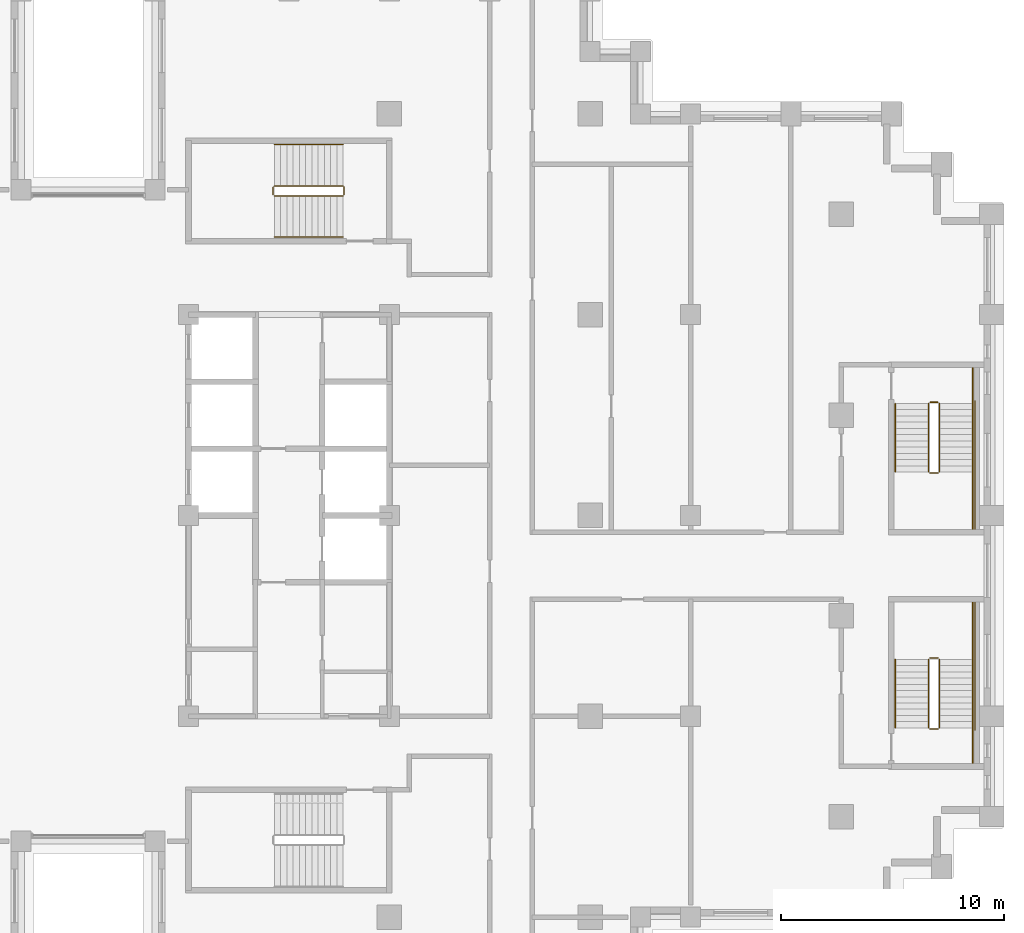
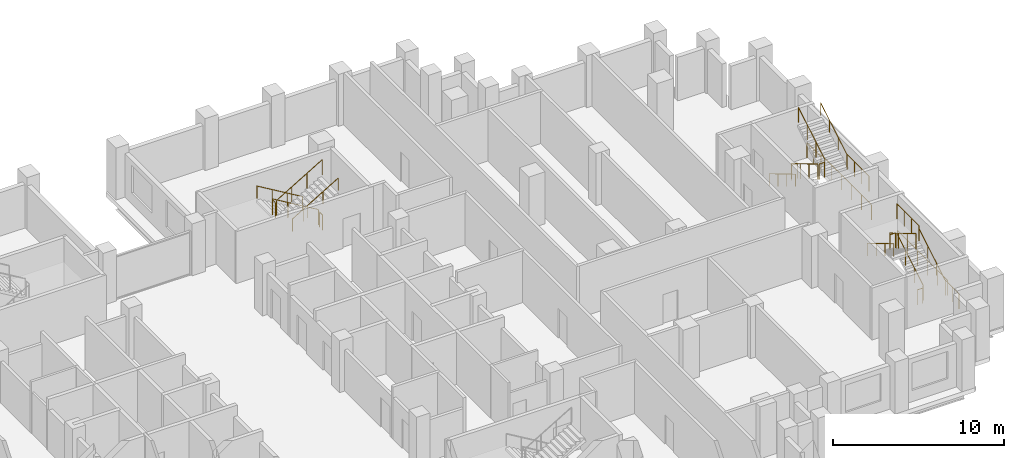
# One storey, part 16 of 16: 3 railings.
"""IFC4 building model written with IfcOpenShell, lengths in metres."""

from ifc_helpers import new_model, si_unit, direction, frame, origin, origin_2d, place, context, subcontext, project, spatial, circle, extrude, material, type_object, element, save


model = new_model("IFC4")

# Units and contexts
model_context = context("Model", 3, precision=1e-05, world=origin(), true_north=direction((0.0, 1.0)))
body_context = subcontext(model_context, "Body", "Model", "MODEL_VIEW")
ifc_project = project(units=[si_unit("LENGTHUNIT", "METRE"), si_unit("AREAUNIT", "SQUARE_METRE"), si_unit("VOLUMEUNIT", "CUBIC_METRE"), si_unit("PLANEANGLEUNIT", "RADIAN"), si_unit("MASSUNIT", "GRAM", prefix="KILO")], contexts=[model_context])

# Site, building, storey
site_placement = place(None, origin())
site = spatial("IfcSite", under=ifc_project, at=site_placement, CompositionType="ELEMENT")
building_placement = place(site_placement, origin())
building = spatial("IfcBuilding", under=site, at=building_placement, Name="Corbelhall Arena Tower", CompositionType="ELEMENT")
storey_placement = place(building_placement, frame((0.0, 0.0, 154.0)))
storey = spatial("IfcBuildingStorey", under=building, at=storey_placement, Name="L30", CompositionType="ELEMENT", Elevation=154.0)

# Railings
ifc_material = material(Name="Steel ASTM A500 Gr C", Category="steel")
railing_type = type_object("IfcRailingType", Name="IN-GD-1100", PredefinedType="GUARDRAIL", material=ifc_material)
railing_1_placement = place(storey_placement, frame((11.425048828125, 14.77490234375, 0.166748046875)))
element("IfcRailing", 1, at=railing_1_placement, inside=storey, type_object=railing_type, Name="L30 ST3 stair guards and handrails", PredefinedType="GUARDRAIL", context=body_context, shape_type="SweptSolid", body=[
    extrude(circle(Radius=0.02392578125, at=origin_2d()), frame((0.0, 0.0, 1.076171875), z_axis=(-0.859308565015, 0.0, 0.511457515432), x_axis=(0.0, -1.0, 0.0)), (0.0, 0.0, 1.0), 3.58447265625),
    extrude(circle(Radius=0.02392578125, at=origin_2d()), frame((-3.130126953125, -0.0498046875, 2.9091796875), z_axis=(0.0, -1.0, 0.0), x_axis=(1.0, 0.0, 0.0)), (0.0, 0.0, 1.0), 0.35009765625),
    extrude(circle(Radius=0.02392578125, at=origin_2d()), frame((-3.080078125, -0.449951171875, 3.076171875), z_axis=(0.859308565015, 0.0, 0.511457515432), x_axis=(0.0, 1.0, 0.0)), (0.0, 0.0, 1.0), 3.58447265625),
    extrude(circle(Radius=0.02392578125, at=origin_2d()), frame((0.050048828125, -0.0498046875, 0.9091796875), z_axis=(0.0, -1.0, 0.0), x_axis=(1.0, 0.0, 0.0)), (0.0, 0.0, 1.0), 0.35009765625),
    extrude(circle(Radius=0.02392578125, at=origin_2d()), frame((0.0, 1.85009765625, 0.8759765625), z_axis=(-0.859308565015, 0.0, 0.511457515432), x_axis=(0.0, -1.0, 0.0)), (0.0, 0.0, 1.0), 3.58447265625),
    extrude(circle(Radius=0.02392578125, at=origin_2d()), frame((-3.080078125, -2.2998046875, 2.8759765625), z_axis=(0.859308565015, 0.0, 0.511457515432), x_axis=(0.0, 1.0, 0.0)), (0.0, 0.0, 1.0), 3.58447265625),
    extrude(circle(Radius=0.02099609375, at=origin_2d()), origin(), (0.0, 0.0, 1.0), 1.052001953125),
    extrude(circle(Radius=0.02099609375, at=origin_2d()), frame((-1.026611328125, 0.0, 0.611083984375)), (0.0, 0.0, 1.0), 1.052001953125),
    extrude(circle(Radius=0.02099609375, at=origin_2d()), frame((-2.053466796875, 0.0, 1.22216796875)), (0.0, 0.0, 1.0), 1.052001953125),
    extrude(circle(Radius=0.02099609375, at=origin_2d()), frame((-3.080078125, 0.0, 1.833251953125)), (0.0, 0.0, 1.0), 1.052001953125),
    extrude(circle(Radius=0.02099609375, at=origin_2d()), frame((-3.130126953125, -0.0498046875, 1.833251953125)), (0.0, 0.0, 1.0), 1.052001953125),
    extrude(circle(Radius=0.02099609375, at=origin_2d()), frame((-3.130126953125, -0.39990234375, 1.833251953125)), (0.0, 0.0, 1.0), 1.052001953125),
    extrude(circle(Radius=0.02099609375, at=origin_2d()), frame((-3.080078125, -0.449951171875, 2.0)), (0.0, 0.0, 1.0), 1.052001953125),
    extrude(circle(Radius=0.02099609375, at=origin_2d()), frame((-2.053466796875, -0.449951171875, 2.611083984375)), (0.0, 0.0, 1.0), 1.052001953125),
    extrude(circle(Radius=0.02099609375, at=origin_2d()), frame((-1.026611328125, -0.449951171875, 3.22216796875)), (0.0, 0.0, 1.0), 1.052001953125),
    extrude(circle(Radius=0.02099609375, at=origin_2d()), frame((0.0, -0.449951171875, 3.833251953125)), (0.0, 0.0, 1.0), 1.052001953125),
    extrude(circle(Radius=0.02099609375, at=origin_2d()), frame((0.050048828125, -0.0498046875, -0.166748046875)), (0.0, 0.0, 1.0), 1.052001953125),
    extrude(circle(Radius=0.02099609375, at=origin_2d()), frame((0.050048828125, -0.39990234375, -0.166748046875)), (0.0, 0.0, 1.0), 1.052001953125),
    extrude(circle(Radius=0.02099609375, at=origin_2d()), frame((0.0, 1.85009765625, 0.0)), (0.0, 0.0, 1.0), 0.851806640625),
    extrude(circle(Radius=0.02099609375, at=origin_2d()), frame((-1.026611328125, 1.85009765625, 0.611083984375)), (0.0, 0.0, 1.0), 0.851806640625),
    extrude(circle(Radius=0.02099609375, at=origin_2d()), frame((-2.053466796875, 1.85009765625, 1.22216796875)), (0.0, 0.0, 1.0), 0.851806640625),
    extrude(circle(Radius=0.02099609375, at=origin_2d()), frame((-3.080078125, 1.85009765625, 1.833251953125)), (0.0, 0.0, 1.0), 0.851806640625),
    extrude(circle(Radius=0.02099609375, at=origin_2d()), frame((-3.080078125, -2.2998046875, 2.0)), (0.0, 0.0, 1.0), 0.851806640625),
    extrude(circle(Radius=0.02099609375, at=origin_2d()), frame((-2.053466796875, -2.2998046875, 2.611083984375)), (0.0, 0.0, 1.0), 0.851806640625),
    extrude(circle(Radius=0.02099609375, at=origin_2d()), frame((-1.026611328125, -2.2998046875, 3.22216796875)), (0.0, 0.0, 1.0), 0.851806640625),
    extrude(circle(Radius=0.02099609375, at=origin_2d()), frame((0.0, -2.2998046875, 3.833251953125)), (0.0, 0.0, 1.0), 0.851806640625),
])
railing_2_placement = place(storey_placement, frame((38.14990234375, -9.52490234375, 0.166748046875)))
element("IfcRailing", 2, at=railing_2_placement, inside=storey, type_object=railing_type, Name="L30 SD1 stair guards and handrails", PredefinedType="GUARDRAIL", context=body_context, shape_type="SweptSolid", body=[
    extrude(circle(Radius=0.02392578125, at=origin_2d()), frame((0.0, 0.0, 1.076171875), z_axis=(0.0, 0.859290745958, 0.51148745235), x_axis=(-1.0, 0.0, 0.0)), (0.0, 0.0, 1.0), 3.584228515625),
    extrude(circle(Radius=0.02392578125, at=origin_2d()), frame((-0.0498046875, 3.1298828125, 2.9091796875), z_axis=(-1.0, 0.0, 0.0), x_axis=(0.0, -1.0, 0.0)), (0.0, 0.0, 1.0), 0.375),
    extrude(circle(Radius=0.02392578125, at=origin_2d()), frame((1.5, 3.079833984375, 2.9091796875), z_axis=(0.0, 1.0, 0.0), x_axis=(-1.0, 0.0, 0.0)), (0.0, 0.0, 1.0), 2.570068359375),
    extrude(circle(Radius=0.02392578125, at=origin_2d()), frame((-0.474853515625, 3.079833984375, 3.076171875), z_axis=(0.0, -0.859290745958, 0.51148745235), x_axis=(1.0, 0.0, 0.0)), (0.0, 0.0, 1.0), 3.584228515625),
    extrude(circle(Radius=0.02392578125, at=origin_2d()), frame((-0.0498046875, -0.050048828125, 0.9091796875), z_axis=(-1.0, 0.0, 0.0), x_axis=(0.0, -1.0, 0.0)), (0.0, 0.0, 1.0), 0.375),
    extrude(circle(Radius=0.02392578125, at=origin_2d()), frame((1.5, -1.60009765625, 0.9091796875), z_axis=(0.0, 1.0, 0.0), x_axis=(-1.0, 0.0, 0.0)), (0.0, 0.0, 1.0), 1.60009765625),
    extrude(circle(Radius=0.02392578125, at=origin_2d()), frame((1.60009765625, -0.10009765625, 0.9091796875), z_axis=(0.0, 1.0, 0.0), x_axis=(-1.0, 0.0, 0.0)), (0.0, 0.0, 1.0), 5.85009765625),
    extrude(circle(Radius=0.02392578125, at=origin_2d()), frame((1.5, 0.0, 0.8759765625), z_axis=(0.0, 0.859290745958, 0.51148745235), x_axis=(-1.0, 0.0, 0.0)), (0.0, 0.0, 1.0), 3.584228515625),
    extrude(circle(Radius=0.02392578125, at=origin_2d()), frame((-1.974853515625, 3.079833984375, 2.8759765625), z_axis=(0.0, -0.859290745958, 0.51148745235), x_axis=(1.0, 0.0, 0.0)), (0.0, 0.0, 1.0), 3.584228515625),
    extrude(circle(Radius=0.02099609375, at=origin_2d()), origin(), (0.0, 0.0, 1.0), 1.052001953125),
    extrude(circle(Radius=0.02099609375, at=origin_2d()), frame((0.0, 1.026611328125, 0.611083984375)), (0.0, 0.0, 1.0), 1.052001953125),
    extrude(circle(Radius=0.02099609375, at=origin_2d()), frame((0.0, 2.05322265625, 1.22216796875)), (0.0, 0.0, 1.0), 1.052001953125),
    extrude(circle(Radius=0.02099609375, at=origin_2d()), frame((0.0, 3.079833984375, 1.833251953125)), (0.0, 0.0, 1.0), 1.052001953125),
    extrude(circle(Radius=0.02099609375, at=origin_2d()), frame((-0.0498046875, 3.1298828125, 1.833251953125)), (0.0, 0.0, 1.0), 1.052001953125),
    extrude(circle(Radius=0.02099609375, at=origin_2d()), frame((-0.4248046875, 3.1298828125, 1.833251953125)), (0.0, 0.0, 1.0), 1.052001953125),
    extrude(circle(Radius=0.02099609375, at=origin_2d()), frame((1.5, 3.079833984375, 1.833251953125)), (0.0, 0.0, 1.0), 1.052001953125),
    extrude(circle(Radius=0.02099609375, at=origin_2d()), frame((1.5, 3.9365234375, 1.833251953125)), (0.0, 0.0, 1.0), 1.052001953125),
    extrude(circle(Radius=0.02099609375, at=origin_2d()), frame((1.5, 4.793212890625, 1.833251953125)), (0.0, 0.0, 1.0), 1.052001953125),
    extrude(circle(Radius=0.02099609375, at=origin_2d()), frame((1.5, 5.64990234375, 1.833251953125)), (0.0, 0.0, 1.0), 1.052001953125),
    extrude(circle(Radius=0.02099609375, at=origin_2d()), frame((-0.474853515625, 3.079833984375, 2.0)), (0.0, 0.0, 1.0), 1.052001953125),
    extrude(circle(Radius=0.02099609375, at=origin_2d()), frame((-0.474853515625, 2.05322265625, 2.611083984375)), (0.0, 0.0, 1.0), 1.052001953125),
    extrude(circle(Radius=0.02099609375, at=origin_2d()), frame((-0.474853515625, 1.026611328125, 3.22216796875)), (0.0, 0.0, 1.0), 1.052001953125),
    extrude(circle(Radius=0.02099609375, at=origin_2d()), frame((-0.474853515625, 0.0, 3.833251953125)), (0.0, 0.0, 1.0), 1.052001953125),
    extrude(circle(Radius=0.02099609375, at=origin_2d()), frame((-0.0498046875, -0.050048828125, -0.166748046875)), (0.0, 0.0, 1.0), 1.052001953125),
    extrude(circle(Radius=0.02099609375, at=origin_2d()), frame((-0.4248046875, -0.050048828125, -0.166748046875)), (0.0, 0.0, 1.0), 1.052001953125),
    extrude(circle(Radius=0.02099609375, at=origin_2d()), frame((1.5, -1.60009765625, -0.166748046875)), (0.0, 0.0, 1.0), 1.052001953125),
    extrude(circle(Radius=0.02099609375, at=origin_2d()), frame((1.5, -0.800048828125, -0.166748046875)), (0.0, 0.0, 1.0), 1.052001953125),
    extrude(circle(Radius=0.02099609375, at=origin_2d()), frame((1.5, 0.0, -0.166748046875)), (0.0, 0.0, 1.0), 1.052001953125),
    extrude(circle(Radius=0.02099609375, at=origin_2d()), frame((1.60009765625, -0.10009765625, -0.166748046875)), (0.0, 0.0, 1.0), 1.052001953125),
    extrude(circle(Radius=0.02099609375, at=origin_2d()), frame((1.60009765625, 1.06982421875, -0.166748046875)), (0.0, 0.0, 1.0), 1.052001953125),
    extrude(circle(Radius=0.02099609375, at=origin_2d()), frame((1.60009765625, 2.239990234375, -0.166748046875)), (0.0, 0.0, 1.0), 1.052001953125),
    extrude(circle(Radius=0.02099609375, at=origin_2d()), frame((1.60009765625, 3.409912109375, -0.166748046875)), (0.0, 0.0, 1.0), 1.052001953125),
    extrude(circle(Radius=0.02099609375, at=origin_2d()), frame((1.60009765625, 4.580078125, -0.166748046875)), (0.0, 0.0, 1.0), 1.052001953125),
    extrude(circle(Radius=0.02099609375, at=origin_2d()), frame((1.60009765625, 5.75, -0.166748046875)), (0.0, 0.0, 1.0), 1.052001953125),
    extrude(circle(Radius=0.02099609375, at=origin_2d()), frame((1.5, 0.0, 0.0)), (0.0, 0.0, 1.0), 0.851806640625),
    extrude(circle(Radius=0.02099609375, at=origin_2d()), frame((1.5, 1.026611328125, 0.611083984375)), (0.0, 0.0, 1.0), 0.851806640625),
    extrude(circle(Radius=0.02099609375, at=origin_2d()), frame((1.5, 2.05322265625, 1.22216796875)), (0.0, 0.0, 1.0), 0.851806640625),
    extrude(circle(Radius=0.02099609375, at=origin_2d()), frame((-1.974853515625, 3.079833984375, 2.0)), (0.0, 0.0, 1.0), 0.851806640625),
    extrude(circle(Radius=0.02099609375, at=origin_2d()), frame((-1.974853515625, 2.05322265625, 2.611083984375)), (0.0, 0.0, 1.0), 0.851806640625),
    extrude(circle(Radius=0.02099609375, at=origin_2d()), frame((-1.974853515625, 1.026611328125, 3.22216796875)), (0.0, 0.0, 1.0), 0.851806640625),
    extrude(circle(Radius=0.02099609375, at=origin_2d()), frame((-1.974853515625, 0.0, 3.833251953125)), (0.0, 0.0, 1.0), 0.851806640625),
])
railing_3_placement = place(storey_placement, frame((37.675048828125, 5.02490234375, 0.166748046875)))
element("IfcRailing", 3, at=railing_3_placement, inside=storey, type_object=railing_type, Name="L30 SD2 stair guards and handrails", PredefinedType="GUARDRAIL", context=body_context, shape_type="SweptSolid", body=[
    extrude(circle(Radius=0.02392578125, at=origin_2d()), frame((0.0, 0.0, 1.076171875), z_axis=(0.0, -0.859290745958, 0.51148745235), x_axis=(1.0, 0.0, 0.0)), (0.0, 0.0, 1.0), 3.584228515625),
    extrude(circle(Radius=0.02392578125, at=origin_2d()), frame((0.050048828125, -3.1298828125, 2.9091796875), z_axis=(1.0, 0.0, 0.0), x_axis=(0.0, 1.0, 0.0)), (0.0, 0.0, 1.0), 0.375),
    extrude(circle(Radius=0.02392578125, at=origin_2d()), frame((1.974853515625, -3.079833984375, 2.9091796875), z_axis=(0.0, -1.0, 0.0), x_axis=(1.0, 0.0, 0.0)), (0.0, 0.0, 1.0), 2.570068359375),
    extrude(circle(Radius=0.02392578125, at=origin_2d()), frame((0.474853515625, -3.079833984375, 3.076171875), z_axis=(0.0, 0.859290745958, 0.51148745235), x_axis=(-1.0, 0.0, 0.0)), (0.0, 0.0, 1.0), 3.584228515625),
    extrude(circle(Radius=0.02392578125, at=origin_2d()), frame((0.050048828125, 0.050048828125, 0.9091796875), z_axis=(1.0, 0.0, 0.0), x_axis=(0.0, 1.0, 0.0)), (0.0, 0.0, 1.0), 0.375),
    extrude(circle(Radius=0.02392578125, at=origin_2d()), frame((1.974853515625, 1.60009765625, 0.9091796875), z_axis=(0.0, -1.0, 0.0), x_axis=(1.0, 0.0, 0.0)), (0.0, 0.0, 1.0), 1.60009765625),
    extrude(circle(Radius=0.02392578125, at=origin_2d()), frame((2.074951171875, 0.10009765625, 0.9091796875), z_axis=(0.0, -1.0, 0.0), x_axis=(1.0, 0.0, 0.0)), (0.0, 0.0, 1.0), 5.85009765625),
    extrude(circle(Radius=0.02392578125, at=origin_2d()), frame((-1.5, 0.0, 0.8759765625), z_axis=(0.0, -0.859290745958, 0.51148745235), x_axis=(1.0, 0.0, 0.0)), (0.0, 0.0, 1.0), 3.584228515625),
    extrude(circle(Radius=0.02392578125, at=origin_2d()), frame((1.974853515625, -3.079833984375, 2.8759765625), z_axis=(0.0, 0.859290745958, 0.51148745235), x_axis=(-1.0, 0.0, 0.0)), (0.0, 0.0, 1.0), 3.584228515625),
    extrude(circle(Radius=0.02099609375, at=origin_2d()), origin(), (0.0, 0.0, 1.0), 1.052001953125),
    extrude(circle(Radius=0.02099609375, at=origin_2d()), frame((0.0, -1.026611328125, 0.611083984375)), (0.0, 0.0, 1.0), 1.052001953125),
    extrude(circle(Radius=0.02099609375, at=origin_2d()), frame((0.0, -2.05322265625, 1.22216796875)), (0.0, 0.0, 1.0), 1.052001953125),
    extrude(circle(Radius=0.02099609375, at=origin_2d()), frame((0.0, -3.079833984375, 1.833251953125)), (0.0, 0.0, 1.0), 1.052001953125),
    extrude(circle(Radius=0.02099609375, at=origin_2d()), frame((0.050048828125, -3.1298828125, 1.833251953125)), (0.0, 0.0, 1.0), 1.052001953125),
    extrude(circle(Radius=0.02099609375, at=origin_2d()), frame((0.425048828125, -3.1298828125, 1.833251953125)), (0.0, 0.0, 1.0), 1.052001953125),
    extrude(circle(Radius=0.02099609375, at=origin_2d()), frame((1.974853515625, -3.079833984375, 1.833251953125)), (0.0, 0.0, 1.0), 1.052001953125),
    extrude(circle(Radius=0.02099609375, at=origin_2d()), frame((1.974853515625, -3.9365234375, 1.833251953125)), (0.0, 0.0, 1.0), 1.052001953125),
    extrude(circle(Radius=0.02099609375, at=origin_2d()), frame((1.974853515625, -4.793212890625, 1.833251953125)), (0.0, 0.0, 1.0), 1.052001953125),
    extrude(circle(Radius=0.02099609375, at=origin_2d()), frame((1.974853515625, -5.64990234375, 1.833251953125)), (0.0, 0.0, 1.0), 1.052001953125),
    extrude(circle(Radius=0.02099609375, at=origin_2d()), frame((0.474853515625, -3.079833984375, 2.0)), (0.0, 0.0, 1.0), 1.052001953125),
    extrude(circle(Radius=0.02099609375, at=origin_2d()), frame((0.474853515625, -2.05322265625, 2.611083984375)), (0.0, 0.0, 1.0), 1.052001953125),
    extrude(circle(Radius=0.02099609375, at=origin_2d()), frame((0.474853515625, -1.026611328125, 3.22216796875)), (0.0, 0.0, 1.0), 1.052001953125),
    extrude(circle(Radius=0.02099609375, at=origin_2d()), frame((0.474853515625, 0.0, 3.833251953125)), (0.0, 0.0, 1.0), 1.052001953125),
    extrude(circle(Radius=0.02099609375, at=origin_2d()), frame((0.050048828125, 0.050048828125, -0.166748046875)), (0.0, 0.0, 1.0), 1.052001953125),
    extrude(circle(Radius=0.02099609375, at=origin_2d()), frame((0.425048828125, 0.050048828125, -0.166748046875)), (0.0, 0.0, 1.0), 1.052001953125),
    extrude(circle(Radius=0.02099609375, at=origin_2d()), frame((1.974853515625, 1.60009765625, -0.166748046875)), (0.0, 0.0, 1.0), 1.052001953125),
    extrude(circle(Radius=0.02099609375, at=origin_2d()), frame((1.974853515625, 0.800048828125, -0.166748046875)), (0.0, 0.0, 1.0), 1.052001953125),
    extrude(circle(Radius=0.02099609375, at=origin_2d()), frame((1.974853515625, 0.0, -0.166748046875)), (0.0, 0.0, 1.0), 1.052001953125),
    extrude(circle(Radius=0.02099609375, at=origin_2d()), frame((2.074951171875, 0.10009765625, -0.166748046875)), (0.0, 0.0, 1.0), 1.052001953125),
    extrude(circle(Radius=0.02099609375, at=origin_2d()), frame((2.074951171875, -1.06982421875, -0.166748046875)), (0.0, 0.0, 1.0), 1.052001953125),
    extrude(circle(Radius=0.02099609375, at=origin_2d()), frame((2.074951171875, -2.239990234375, -0.166748046875)), (0.0, 0.0, 1.0), 1.052001953125),
    extrude(circle(Radius=0.02099609375, at=origin_2d()), frame((2.074951171875, -3.409912109375, -0.166748046875)), (0.0, 0.0, 1.0), 1.052001953125),
    extrude(circle(Radius=0.02099609375, at=origin_2d()), frame((2.074951171875, -4.580078125, -0.166748046875)), (0.0, 0.0, 1.0), 1.052001953125),
    extrude(circle(Radius=0.02099609375, at=origin_2d()), frame((2.074951171875, -5.75, -0.166748046875)), (0.0, 0.0, 1.0), 1.052001953125),
    extrude(circle(Radius=0.02099609375, at=origin_2d()), frame((-1.5, 0.0, 0.0)), (0.0, 0.0, 1.0), 0.851806640625),
    extrude(circle(Radius=0.02099609375, at=origin_2d()), frame((-1.5, -1.026611328125, 0.611083984375)), (0.0, 0.0, 1.0), 0.851806640625),
    extrude(circle(Radius=0.02099609375, at=origin_2d()), frame((-1.5, -2.05322265625, 1.22216796875)), (0.0, 0.0, 1.0), 0.851806640625),
    extrude(circle(Radius=0.02099609375, at=origin_2d()), frame((-1.5, -3.079833984375, 1.833251953125)), (0.0, 0.0, 1.0), 0.851806640625),
    extrude(circle(Radius=0.02099609375, at=origin_2d()), frame((1.974853515625, -3.079833984375, 2.0)), (0.0, 0.0, 1.0), 0.851806640625),
    extrude(circle(Radius=0.02099609375, at=origin_2d()), frame((1.974853515625, -2.05322265625, 2.611083984375)), (0.0, 0.0, 1.0), 0.851806640625),
    extrude(circle(Radius=0.02099609375, at=origin_2d()), frame((1.974853515625, -1.026611328125, 3.22216796875)), (0.0, 0.0, 1.0), 0.851806640625),
    extrude(circle(Radius=0.02099609375, at=origin_2d()), frame((1.974853515625, 0.0, 3.833251953125)), (0.0, 0.0, 1.0), 0.851806640625),
])

save(model, "model.ifc")
